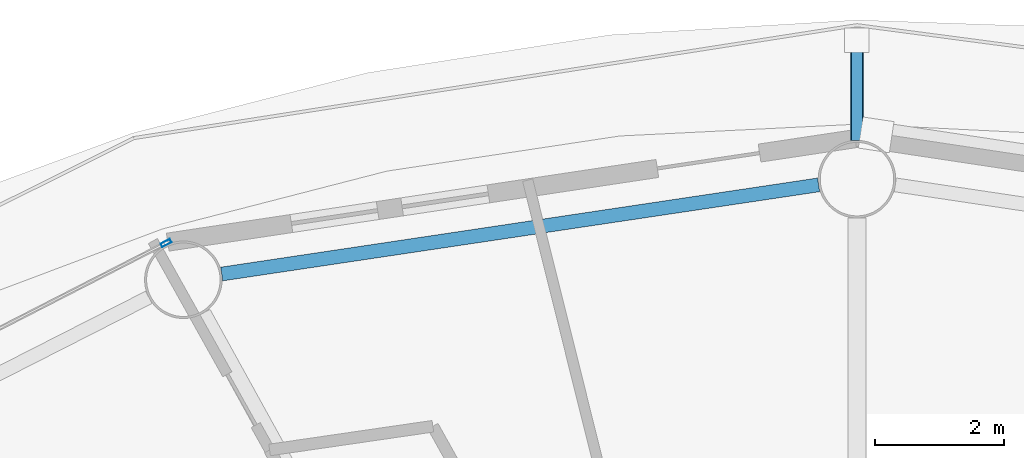
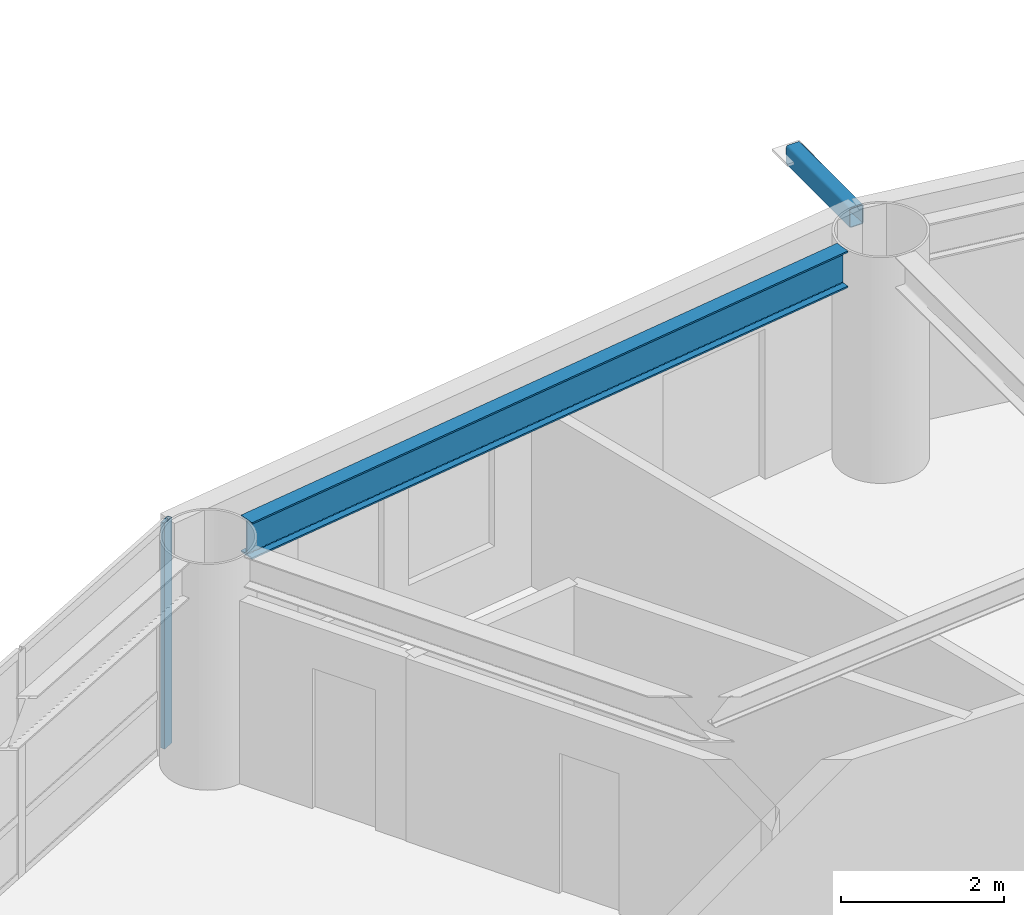
# One storey, part 13 of 27: 2 members, 1 beam, 1 element without a shape of its own.
"""IFC4 building model written with IfcOpenShell, lengths in metres."""

from ifc_helpers import new_model, si_unit, direction, frame, origin, origin_2d, place, context, subcontext, project, spatial, hollow_rectangle, i_section, extrude, material, layer, layer_set, material_profile, profile_set, type_object, element, aggregate, save


model = new_model("IFC4")

# Units and contexts
model_context = context("Model", 3, precision=1e-05, world=origin(), true_north=direction((0.0, 1.0)))
body_context = subcontext(model_context, "Body", "Model", "MODEL_VIEW")
ifc_project = project(units=[si_unit("LENGTHUNIT", "METRE"), si_unit("AREAUNIT", "SQUARE_METRE"), si_unit("VOLUMEUNIT", "CUBIC_METRE"), si_unit("PLANEANGLEUNIT", "RADIAN"), si_unit("MASSUNIT", "GRAM", prefix="KILO")], contexts=[model_context])

# Site, building, storey
site_placement = place(None, origin())
site = spatial("IfcSite", under=ifc_project, at=site_placement, CompositionType="ELEMENT")
building_placement = place(site_placement, origin())
building = spatial("IfcBuilding", under=site, at=building_placement, Name="Sarneth Arch Tower", CompositionType="ELEMENT")
storey_placement = place(building_placement, frame((0.0, 0.0, 186.60009765625)))
storey = spatial("IfcBuildingStorey", under=building, at=storey_placement, Name="L47", CompositionType="ELEMENT", Elevation=186.60009765625)

# Beam
ifc_material_1 = material(Name="Steel S355", Category="steel")
ifc_material_profile_1 = material_profile(ifc_material_1, i_section(OverallWidth=0.214111328125, OverallDepth=0.549072265625, WebThickness=0.0146484375, FlangeThickness=0.023681640625, FilletRadius=0.01806640625, at=origin_2d()), Name="W530x138")
ifc_profile_set_1 = profile_set([ifc_material_profile_1], Name="Steel S355")
beam_type = type_object("IfcBeamType", Name="BM-RAD-530A", PredefinedType="BEAM", material=ifc_profile_set_1)
beam_placement = place(storey_placement, frame((47.406494140625, 62.361328125, 3.10546875), z_axis=(-0.98902783755, -0.147729267756, 0.0), x_axis=(0.147729267756, -0.98902783755, 0.0)))
element("IfcBeam", 1, at=beam_placement, inside=storey, type_object=beam_type, Name="L47 Perimeter spandrel beam 05", PredefinedType="BEAM", context=body_context, shape_type="SweptSolid", body=[
    extrude(i_section(OverallWidth=0.214111328125, OverallDepth=0.549072265625, WebThickness=0.0146484375, FlangeThickness=0.023681640625, FilletRadius=0.01806640625, at=origin_2d()), origin(), (0.0, 0.0, 1.0), 9.33740234375),
])

# Curtain wall, member
ifc_material_2 = material(Name="Anodised aluminium Type AA25 and solar-control low-e laminated IGU", Category="aluminium")
ifc_layer = layer(ifc_material_2, 0.169921875)
ifc_layer_set = layer_set([ifc_layer], Name="Anodised aluminium Type AA25 and solar-control low-e laminated IGU")
curtain_wall_type = type_object("IfcCurtainWallType", Name="CW-RES-MID", PredefinedType="NOTDEFINED", material=ifc_layer_set)
curtain_wall_placement = place(storey_placement, origin())
curtain_wall = element("IfcCurtainWall", 2, at=curtain_wall_placement, inside=storey, type_object=curtain_wall_type, Name="L47 Unitised curtain wall facet 06", PredefinedType="NOTDEFINED")
ifc_material_3 = material(Name="Anodised Aluminium 6063-T6", Category="aluminium")
ifc_material_profile_2 = material_profile(ifc_material_3, hollow_rectangle(XDim=0.06005859375, YDim=0.159912109375, WallThickness=0.00390625, at=origin_2d()), Name="AL-MULL-160x60x4")
ifc_profile_set_2 = profile_set([ifc_material_profile_2], Name="Anodised Aluminium 6063-T6")
member_type_1 = type_object("IfcMemberType", Name="CW-MULLION", PredefinedType="MULLION", material=ifc_profile_set_2)
member_1_placement = place(storey_placement, frame((37.310546875, 61.461669921875, 0.0), z_axis=(0.0, 0.0, 1.0), x_axis=(0.456208470329, -0.88987293003, 0.0)))
member_1 = element("IfcMember", 3, at=member_1_placement, type_object=member_type_1, Name="CW-SYS-5 mullion 1", PredefinedType="MULLION", context=body_context, shape_type="SweptSolid", body=[
    extrude(hollow_rectangle(XDim=0.06005859375, YDim=0.159912109375, WallThickness=0.00390625, at=origin_2d()), origin(), (0.0, 0.0, 1.0), 3.3798828125),
])
aggregate(curtain_wall, [member_1])

# Member
ifc_material_4 = material(Name="Steel S355", Category="steel")
ifc_material_profile_3 = material_profile(ifc_material_4, hollow_rectangle(XDim=0.199951171875, YDim=0.300048828125, WallThickness=0.012451171875, InnerFilletRadius=0.018798828125, OuterFilletRadius=0.03125, at=origin_2d()), Name="RHS300x200x12.5")
ifc_profile_set_3 = profile_set([ifc_material_profile_3], Name="Steel S355")
member_type_2 = type_object("IfcMemberType", Name="MEM-CANT-STRUT", PredefinedType="STRUT", material=ifc_profile_set_3)
member_2_placement = place(storey_placement, frame((48.0, 63.050048828125, 3.219970703125), z_axis=(0.0, 1.0, 0.0), x_axis=(-1.0, 0.0, 0.0)))
element("IfcMember", 4, at=member_2_placement, inside=storey, type_object=member_type_2, Name="L47 Balcony cantilever bracket 05", PredefinedType="STRUT", context=body_context, shape_type="SweptSolid", body=[
    extrude(hollow_rectangle(XDim=0.199951171875, YDim=0.300048828125, WallThickness=0.012451171875, InnerFilletRadius=0.018798828125, OuterFilletRadius=0.03125, at=origin_2d()), origin(), (0.0, 0.0, 1.0), 1.546875),
])

save(model, "model.ifc")
